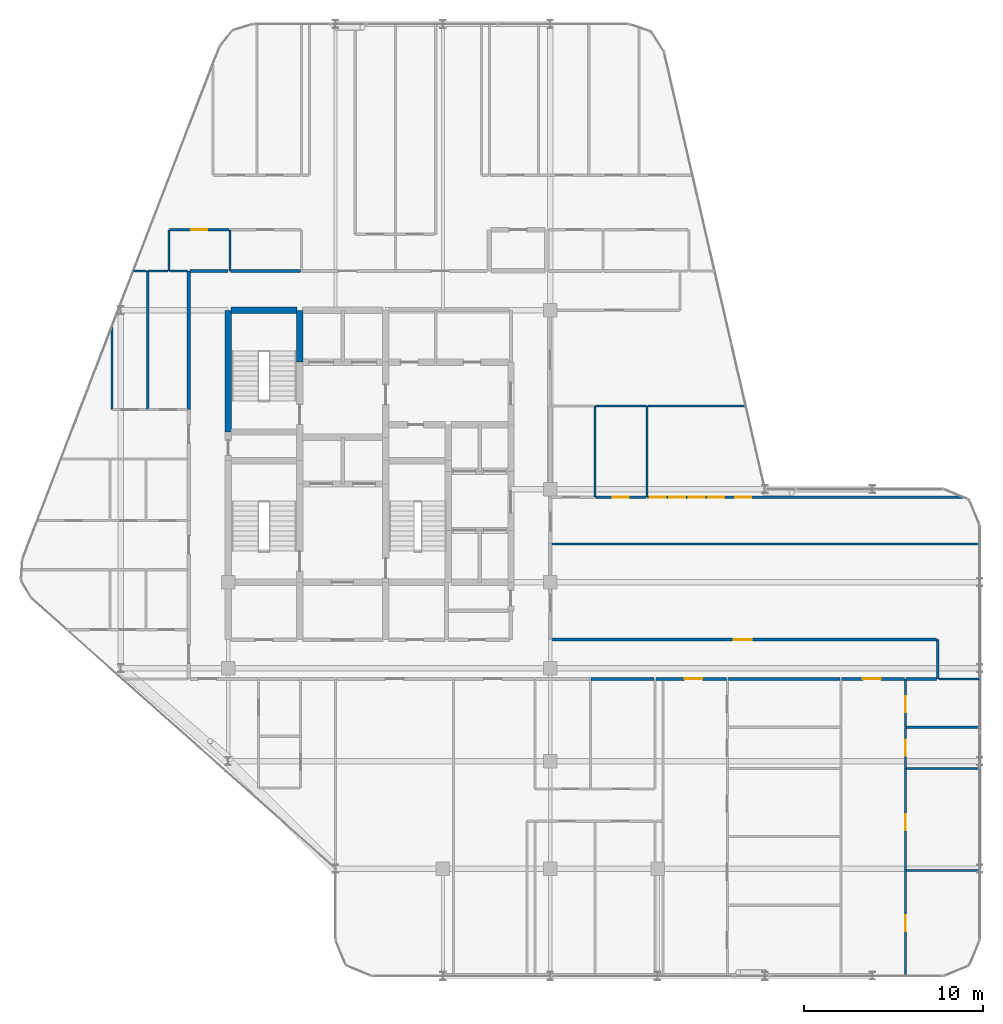
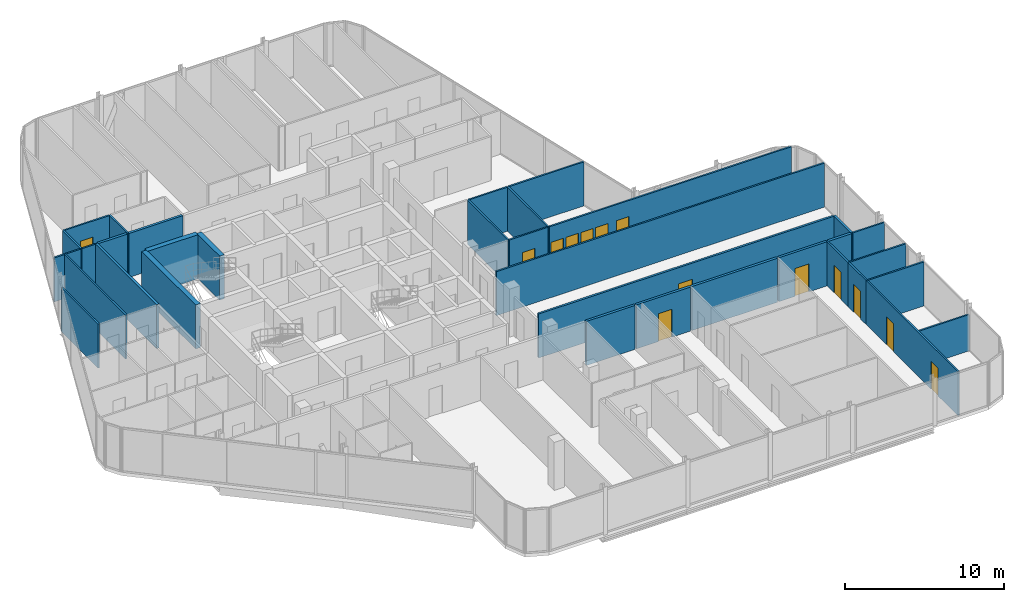
# One storey, part 26 of 29: 35 walls, 14 doors, 14 openings.
"""IFC4 building model written with IfcOpenShell, lengths in metres."""

from ifc_helpers import new_model, si_unit, direction, frame, frame_2d, origin, place, context, subcontext, project, spatial, rectangle, extrude, material, layer, layer_set, type_object, element, fill, save


model = new_model("IFC4")

# Units and contexts
model_context = context("Model", 3, precision=1e-05, world=origin(), true_north=direction((0.0, 1.0)))
body_context = subcontext(model_context, "Body", "Model", "MODEL_VIEW")
ifc_project = project(units=[si_unit("LENGTHUNIT", "METRE"), si_unit("AREAUNIT", "SQUARE_METRE"), si_unit("VOLUMEUNIT", "CUBIC_METRE"), si_unit("PLANEANGLEUNIT", "RADIAN"), si_unit("MASSUNIT", "GRAM", prefix="KILO")], contexts=[model_context])

# Site, building, storey
site_placement = place(None, origin())
site = spatial("IfcSite", under=ifc_project, at=site_placement, CompositionType="ELEMENT")
building_placement = place(site_placement, origin())
building = spatial("IfcBuilding", under=site, at=building_placement, Name="Keshet Zoharim Tower", CompositionType="ELEMENT")
storey_placement = place(building_placement, frame((0.0, 0.0, 206.89990234375)))
storey = spatial("IfcBuildingStorey", under=building, at=storey_placement, Name="L51", CompositionType="ELEMENT", Elevation=206.89990234375)

# Wall
ifc_material_1 = material(Name="Gypsum Plasterboard", Category="gypsum")
ifc_layer_1 = layer(ifc_material_1, 0.14990234375)
ifc_layer_set_1 = layer_set([ifc_layer_1], Name="Gypsum Plasterboard")
wall_type_1 = type_object("IfcWallType", Name="WL-CLIN-150", PredefinedType="STANDARD", material=ifc_layer_set_1)
wall_1_placement = place(storey_placement, frame((54.64990234375, 17.31005859375, 0.0), z_axis=(0.0, 0.0, 1.0), x_axis=(0.0, 1.0, 0.0)))
element("IfcWall", 1, at=wall_1_placement, inside=storey, type_object=wall_type_1, Name="L51 Interior Wall 097", PredefinedType="STANDARD", context=body_context, shape_type="SweptSolid", body=[
    extrude(rectangle(XDim=2.18994140625, YDim=0.14990234375, at=frame_2d((1.094970703125, 0.0))), origin(), (0.0, 0.0, 1.0), 3.39013671875),
])

# Wall, opening, door
wall_2_placement = place(storey_placement, frame((33.070068359375, 19.5, 0.0), z_axis=(0.0, 0.0, 1.0), x_axis=(1.0, 0.0, 0.0)))
wall_2 = element("IfcWall", 2, at=wall_2_placement, inside=storey, type_object=wall_type_1, Name="L51 Interior Wall 129", PredefinedType="STANDARD", context=body_context, shape_type="SweptSolid", body=[
    extrude(rectangle(XDim=21.510009765625, YDim=0.14990234375, at=frame_2d((10.7548828125, 0.0))), origin(), (0.0, 0.0, 1.0), 3.39013671875),
])
opening_1_placement = place(wall_2_placement, frame((10.18505859375, 0.0, 0.0)))
opening_1 = element("IfcOpeningElement", 3, at=opening_1_placement, cuts=wall_2, Name="Opening D-F310", PredefinedType="OPENING", context=body_context, shape_type="SweptSolid", body=[
    extrude(rectangle(XDim=1.0, YDim=2.14990234375, at=frame_2d((0.5, 1.074951171875))), frame((0.0, 0.0849609375, 0.0), z_axis=(0.0, -1.0, 0.0), x_axis=(1.0, 0.0, 0.0)), (0.0, 0.0, 1.0), 0.169921875),
])
ifc_material_2 = material(Name="Hardwood Timber", Category="wood")
door_type_1 = type_object("IfcDoorType", Name="DR-FD30-100", OperationType="NOTDEFINED", PredefinedType="DOOR", material=ifc_material_2)
door_1_placement = place(opening_1_placement, origin())
door_1 = element("IfcDoor", 4, at=door_1_placement, inside=storey, type_object=door_type_1, Name="L51 South East Residents Services Suite Door 1", OperationType="SINGLE_SWING_LEFT", OverallHeight=2.14990234375, OverallWidth=1.0, PredefinedType="DOOR", context=body_context, shape_type="SweptSolid", body=[
    extrude(rectangle(XDim=1.0, YDim=2.14990234375, at=frame_2d((0.5, 1.074951171875))), frame((0.0, 0.02490234375, 0.0), z_axis=(0.0, -1.0, 0.0), x_axis=(1.0, 0.0, 0.0)), (0.0, 0.0, 1.0), 0.050048828125),
])
fill(opening_1, door_1)

# Walls
ifc_material_3 = material(Name="Concrete C60/75", Category="concrete")
ifc_layer_2 = layer(ifc_material_3, 0.35009765625)
ifc_layer_set_2 = layer_set([ifc_layer_2], Name="Concrete C60/75")
wall_type_2 = type_object("IfcWallType", Name="WL-CORE-350", PredefinedType="SHEAR", material=ifc_layer_set_2)
wall_3_placement = place(storey_placement, frame((15.0, 31.10009765625, 0.0), z_axis=(0.0, 0.0, 1.0), x_axis=(0.0, 1.0, 0.0)))
element("IfcWall", 5, at=wall_3_placement, inside=storey, type_object=wall_type_2, Name="L51 Core Shear Wall 018", PredefinedType="SHEAR", context=body_context, shape_type="SweptSolid", body=[
    extrude(rectangle(XDim=6.7998046875, YDim=0.35009765625, at=frame_2d((3.39990234375, 0.0))), origin(), (0.0, 0.0, 1.0), 3.39013671875),
])
wall_4_placement = place(storey_placement, frame((19.0, 35.0, 0.0), z_axis=(0.0, 0.0, 1.0), x_axis=(0.0, 1.0, 0.0)))
element("IfcWall", 6, at=wall_4_placement, inside=storey, type_object=wall_type_2, Name="L51 Core Shear Wall 027", PredefinedType="SHEAR", context=body_context, shape_type="SweptSolid", body=[
    extrude(rectangle(XDim=2.89990234375, YDim=0.35009765625, at=frame_2d((1.449951171875, 0.0))), origin(), (0.0, 0.0, 1.0), 3.39013671875),
])
wall_5_placement = place(storey_placement, frame((15.159912109375, 37.89990234375, 0.0), z_axis=(0.0, 0.0, 1.0), x_axis=(1.0, 0.0, 0.0)))
element("IfcWall", 7, at=wall_5_placement, inside=storey, type_object=wall_type_2, Name="L51 Core Shear Wall 168", PredefinedType="SHEAR", context=body_context, shape_type="SweptSolid", body=[
    extrude(rectangle(XDim=3.68017578125, YDim=0.35009765625, at=frame_2d((1.840087890625, 0.0))), origin(), (0.0, 0.0, 1.0), 3.39013671875),
])
ifc_layer_3 = layer(ifc_material_1, 0.179931640625)
ifc_layer_set_3 = layer_set([ifc_layer_3], Name="Gypsum Plasterboard")
wall_type_3 = type_object("IfcWallType", Name="WL-CORR-180", PredefinedType="STANDARD", material=ifc_layer_set_3)
wall_6_placement = place(storey_placement, frame((12.800048828125, 32.360107421875, 0.0), z_axis=(0.0, 0.0, 1.0), x_axis=(0.0, 1.0, 0.0)))
element("IfcWall", 8, at=wall_6_placement, inside=storey, type_object=wall_type_3, Name="L51 Interior Wall 013", PredefinedType="STANDARD", context=body_context, shape_type="SweptSolid", body=[
    extrude(rectangle(XDim=7.739990234375, YDim=0.179931640625, at=frame_2d((3.8701171875, 0.0))), origin(), (0.0, 0.0, 1.0), 3.39013671875),
])
wall_7_placement = place(storey_placement, frame((35.27197265625, 17.300048828125, 0.0), z_axis=(0.0, 0.0, 1.0), x_axis=(1.0, 0.0, 0.0)))
element("IfcWall", 9, at=wall_7_placement, inside=storey, type_object=wall_type_3, Name="L51 Interior Wall 119", PredefinedType="STANDARD", context=body_context, shape_type="SweptSolid", body=[
    extrude(rectangle(XDim=3.532958984375, YDim=0.179931640625, at=frame_2d((1.7666015625, 0.0))), origin(), (0.0, 0.0, 1.0), 3.39013671875),
])

# Wall, opening, door
wall_8_placement = place(storey_placement, frame((38.89501953125, 17.300048828125, 0.0), z_axis=(0.0, 0.0, 1.0), x_axis=(1.0, 0.0, 0.0)))
wall_8 = element("IfcWall", 10, at=wall_8_placement, inside=storey, type_object=wall_type_3, Name="L51 Interior Wall 120", PredefinedType="STANDARD", context=body_context, shape_type="SweptSolid", body=[
    extrude(rectangle(XDim=3.9599609375, YDim=0.179931640625, at=frame_2d((1.97998046875, 0.0))), origin(), (0.0, 0.0, 1.0), 3.39013671875),
])
opening_2_placement = place(wall_8_placement, frame((1.60888671875, 0.0, 0.0)))
opening_2 = element("IfcOpeningElement", 11, at=opening_2_placement, cuts=wall_8, Name="Opening D-F310", PredefinedType="OPENING", context=body_context, shape_type="SweptSolid", body=[
    extrude(rectangle(XDim=1.0, YDim=2.14990234375, at=frame_2d((0.5, 1.074951171875))), frame((0.0, 0.10009765625, 0.0), z_axis=(0.0, -1.0, 0.0), x_axis=(1.0, 0.0, 0.0)), (0.0, 0.0, 1.0), 0.199951171875),
])
door_2_placement = place(opening_2_placement, origin())
door_2 = element("IfcDoor", 12, at=door_2_placement, inside=storey, type_object=door_type_1, Name="Apartment 5103 Entrance Door", OperationType="SINGLE_SWING_LEFT", OverallHeight=2.14990234375, OverallWidth=1.0, PredefinedType="DOOR", context=body_context, shape_type="SweptSolid", body=[
    extrude(rectangle(XDim=1.0, YDim=2.14990234375, at=frame_2d((0.5, 1.074951171875))), frame((0.0, 0.02490234375, 0.0), z_axis=(0.0, -1.0, 0.0), x_axis=(1.0, 0.0, 0.0)), (0.0, 0.0, 1.0), 0.050048828125),
])
fill(opening_2, door_2)

# Wall
wall_9_placement = place(storey_placement, frame((42.945068359375, 17.300048828125, 0.0), z_axis=(0.0, 0.0, 1.0), x_axis=(1.0, 0.0, 0.0)))
element("IfcWall", 13, at=wall_9_placement, inside=storey, type_object=wall_type_3, Name="L51 Interior Wall 121", PredefinedType="STANDARD", context=body_context, shape_type="SweptSolid", body=[
    extrude(rectangle(XDim=6.25, YDim=0.179931640625, at=frame_2d((3.125, 0.0))), origin(), (0.0, 0.0, 1.0), 3.39013671875),
])

# Wall, opening, door
wall_10_placement = place(storey_placement, frame((49.284912109375, 17.300048828125, 0.0), z_axis=(0.0, 0.0, 1.0), x_axis=(1.0, 0.0, 0.0)))
wall_10 = element("IfcWall", 14, at=wall_10_placement, inside=storey, type_object=wall_type_3, Name="L51 Interior Wall 122", PredefinedType="STANDARD", context=body_context, shape_type="SweptSolid", body=[
    extrude(rectangle(XDim=3.510009765625, YDim=0.179931640625, at=frame_2d((1.7548828125, 0.0))), origin(), (0.0, 0.0, 1.0), 3.39013671875),
])
opening_3_placement = place(wall_10_placement, frame((1.18505859375, 0.0, 0.0)))
opening_3 = element("IfcOpeningElement", 15, at=opening_3_placement, cuts=wall_10, Name="Opening D-F310", PredefinedType="OPENING", context=body_context, shape_type="SweptSolid", body=[
    extrude(rectangle(XDim=1.0, YDim=2.14990234375, at=frame_2d((0.5, 1.074951171875))), frame((0.0, 0.10009765625, 0.0), z_axis=(0.0, -1.0, 0.0), x_axis=(1.0, 0.0, 0.0)), (0.0, 0.0, 1.0), 0.199951171875),
])
door_3_placement = place(opening_3_placement, origin())
door_3 = element("IfcDoor", 16, at=door_3_placement, inside=storey, type_object=door_type_1, Name="Apartment 5104 Entrance Door", OperationType="SINGLE_SWING_RIGHT", OverallHeight=2.14990234375, OverallWidth=1.0, PredefinedType="DOOR", context=body_context, shape_type="SweptSolid", body=[
    extrude(rectangle(XDim=1.0, YDim=2.14990234375, at=frame_2d((0.5, 1.074951171875))), frame((0.0, 0.02490234375, 0.0), z_axis=(0.0, -1.0, 0.0), x_axis=(1.0, 0.0, 0.0)), (0.0, 0.0, 1.0), 0.050048828125),
])
fill(opening_3, door_3)

# Walls
wall_11_placement = place(storey_placement, frame((52.885009765625, 17.300048828125, 0.0), z_axis=(0.0, 0.0, 1.0), x_axis=(1.0, 0.0, 0.0)))
element("IfcWall", 17, at=wall_11_placement, inside=storey, type_object=wall_type_3, Name="L51 Interior Wall 123", PredefinedType="STANDARD", context=body_context, shape_type="SweptSolid", body=[
    extrude(rectangle(XDim=1.695068359375, YDim=0.179931640625, at=frame_2d((0.84765625, 0.0))), origin(), (0.0, 0.0, 1.0), 3.39013671875),
])
wall_12_placement = place(storey_placement, frame((12.875, 40.10009765625, 0.0), z_axis=(0.0, 0.0, 1.0), x_axis=(1.0, 0.0, 0.0)))
element("IfcWall", 18, at=wall_12_placement, inside=storey, type_object=wall_type_3, Name="L51 Interior Wall 176", PredefinedType="STANDARD", context=body_context, shape_type="SweptSolid", body=[
    extrude(rectangle(XDim=2.125, YDim=0.179931640625, at=frame_2d((1.0625, 0.0))), origin(), (0.0, 0.0, 1.0), 3.39013671875),
])
wall_13_placement = place(storey_placement, frame((15.1279296875, 40.10009765625, 0.0), z_axis=(0.0, 0.0, 1.0), x_axis=(1.0, 0.0, 0.0)))
element("IfcWall", 19, at=wall_13_placement, inside=storey, type_object=wall_type_3, Name="L51 Interior Wall 177", PredefinedType="STANDARD", context=body_context, shape_type="SweptSolid", body=[
    extrude(rectangle(XDim=3.906982421875, YDim=0.179931640625, at=frame_2d((1.95361328125, 0.0))), origin(), (0.0, 0.0, 1.0), 3.39013671875),
])
ifc_layer_4 = layer(ifc_material_1, 0.1201171875)
ifc_layer_set_4 = layer_set([ifc_layer_4], Name="Gypsum Plasterboard")
wall_type_4 = type_object("IfcWallType", Name="WL-PART-120", PredefinedType="PARTITIONING", material=ifc_layer_set_4)
wall_14_placement = place(storey_placement, frame((8.5, 32.360107421875, 0.0), z_axis=(0.0, 0.0, 1.0), x_axis=(0.0, 1.0, 0.0)))
element("IfcWall", 20, at=wall_14_placement, inside=storey, type_object=wall_type_4, Name="L51 Interior Wall 003", PredefinedType="PARTITIONING", context=body_context, shape_type="SweptSolid", body=[
    extrude(rectangle(XDim=4.6298828125, YDim=0.1201171875, at=frame_2d((2.31494140625, 0.0))), origin(), (0.0, 0.0, 1.0), 3.39013671875),
])
wall_15_placement = place(storey_placement, frame((11.699951171875, 40.10009765625, 0.0), z_axis=(0.0, 0.0, 1.0), x_axis=(0.0, 1.0, 0.0)))
element("IfcWall", 21, at=wall_15_placement, inside=storey, type_object=wall_type_4, Name="L51 Interior Wall 007", PredefinedType="PARTITIONING", context=body_context, shape_type="SweptSolid", body=[
    extrude(rectangle(XDim=2.2998046875, YDim=0.1201171875, at=frame_2d((1.14990234375, 0.0))), origin(), (0.0, 0.0, 1.0), 3.39013671875),
])

# Wall, openings, doors
wall_16_placement = place(storey_placement, frame((52.85009765625, 0.7099609375, 0.0), z_axis=(0.0, 0.0, 1.0), x_axis=(0.0, 1.0, 0.0)))
wall_16 = element("IfcWall", 22, at=wall_16_placement, inside=storey, type_object=wall_type_4, Name="L51 Interior Wall 094", PredefinedType="PARTITIONING", context=body_context, shape_type="SweptSolid", body=[
    extrude(rectangle(XDim=11.590087890625, YDim=0.1201171875, at=frame_2d((5.794921875, 0.0))), origin(), (0.0, 0.0, 1.0), 3.39013671875),
])
opening_4_placement = place(wall_16_placement, frame((2.489990234375, 0.0, 0.0)))
opening_4 = element("IfcOpeningElement", 23, at=opening_4_placement, cuts=wall_16, Name="Opening D-IN90", PredefinedType="OPENING", context=body_context, shape_type="SweptSolid", body=[
    extrude(rectangle(XDim=0.89990234375, YDim=2.14990234375, at=frame_2d((0.449951171875, 1.074951171875))), frame((0.0, 0.070068359375, 0.0), z_axis=(0.0, -1.0, 0.0), x_axis=(1.0, 0.0, 0.0)), (0.0, 0.0, 1.0), 0.14013671875),
])
opening_5_placement = place(wall_16_placement, frame((8.133056640625, 0.0, 0.0)))
opening_5 = element("IfcOpeningElement", 24, at=opening_5_placement, cuts=wall_16, Name="Opening D-IN90", PredefinedType="OPENING", context=body_context, shape_type="SweptSolid", body=[
    extrude(rectangle(XDim=0.89990234375, YDim=2.14990234375, at=frame_2d((0.449951171875, 1.074951171875))), frame((0.0, 0.070068359375, 0.0), z_axis=(0.0, -1.0, 0.0), x_axis=(1.0, 0.0, 0.0)), (0.0, 0.0, 1.0), 0.14013671875),
])
door_type_2 = type_object("IfcDoorType", Name="DR-INT-090", OperationType="NOTDEFINED", PredefinedType="DOOR", material=ifc_material_2)
door_4_placement = place(opening_4_placement, origin())
door_4 = element("IfcDoor", 25, at=door_4_placement, inside=storey, type_object=door_type_2, Name="Apartment 5104 Bedroom 1 Door", OperationType="SINGLE_SWING_RIGHT", OverallHeight=2.14990234375, OverallWidth=0.89990234375, PredefinedType="DOOR", context=body_context, shape_type="SweptSolid", body=[
    extrude(rectangle(XDim=0.89990234375, YDim=2.14990234375, at=frame_2d((0.449951171875, 1.074951171875))), frame((0.0, 0.02490234375, 0.0), z_axis=(0.0, -1.0, 0.0), x_axis=(1.0, 0.0, 0.0)), (0.0, 0.0, 1.0), 0.050048828125),
])
fill(opening_4, door_4)
door_5_placement = place(opening_5_placement, origin())
door_5 = element("IfcDoor", 26, at=door_5_placement, inside=storey, type_object=door_type_2, Name="Apartment 5104 Bedroom 2 Door", OperationType="SINGLE_SWING_LEFT", OverallHeight=2.14990234375, OverallWidth=0.89990234375, PredefinedType="DOOR", context=body_context, shape_type="SweptSolid", body=[
    extrude(rectangle(XDim=0.89990234375, YDim=2.14990234375, at=frame_2d((0.449951171875, 1.074951171875))), frame((0.0, 0.02490234375, 0.0), z_axis=(0.0, -1.0, 0.0), x_axis=(1.0, 0.0, 0.0)), (0.0, 0.0, 1.0), 0.050048828125),
])
fill(opening_5, door_5)

# Wall, opening, door
wall_17_placement = place(storey_placement, frame((52.85009765625, 12.300048828125, 0.0), z_axis=(0.0, 0.0, 1.0), x_axis=(0.0, 1.0, 0.0)))
wall_17 = element("IfcWall", 27, at=wall_17_placement, inside=storey, type_object=wall_type_4, Name="L51 Interior Wall 095", PredefinedType="PARTITIONING", context=body_context, shape_type="SweptSolid", body=[
    extrude(rectangle(XDim=2.300048828125, YDim=0.1201171875, at=frame_2d((1.14990234375, 0.0))), origin(), (0.0, 0.0, 1.0), 3.39013671875),
])
opening_6_placement = place(wall_17_placement, frame((0.699951171875, 0.0, 0.0)))
opening_6 = element("IfcOpeningElement", 28, at=opening_6_placement, cuts=wall_17, Name="Opening D-IN90", PredefinedType="OPENING", context=body_context, shape_type="SweptSolid", body=[
    extrude(rectangle(XDim=0.89990234375, YDim=2.14990234375, at=frame_2d((0.449951171875, 1.074951171875))), frame((0.0, 0.070068359375, 0.0), z_axis=(0.0, -1.0, 0.0), x_axis=(1.0, 0.0, 0.0)), (0.0, 0.0, 1.0), 0.14013671875),
])
door_6_placement = place(opening_6_placement, origin())
door_6 = element("IfcDoor", 29, at=door_6_placement, inside=storey, type_object=door_type_2, Name="Apartment 5104 Kitchen Door", OperationType="SINGLE_SWING_RIGHT", OverallHeight=2.14990234375, OverallWidth=0.89990234375, PredefinedType="DOOR", context=body_context, shape_type="SweptSolid", body=[
    extrude(rectangle(XDim=0.89990234375, YDim=2.14990234375, at=frame_2d((0.449951171875, 1.074951171875))), frame((0.0, 0.02490234375, 0.0), z_axis=(0.0, -1.0, 0.0), x_axis=(1.0, 0.0, 0.0)), (0.0, 0.0, 1.0), 0.050048828125),
])
fill(opening_6, door_6)

# Walls
wall_18_placement = place(storey_placement, frame((52.885009765625, 6.60009765625, 0.0), z_axis=(0.0, 0.0, 1.0), x_axis=(1.0, 0.0, 0.0)))
element("IfcWall", 30, at=wall_18_placement, inside=storey, type_object=wall_type_4, Name="L51 Interior Wall 099", PredefinedType="PARTITIONING", context=body_context, shape_type="SweptSolid", body=[
    extrude(rectangle(XDim=4.10498046875, YDim=0.1201171875, at=frame_2d((2.052490234375, 0.0))), origin(), (0.0, 0.0, 1.0), 2.7900390625),
])
wall_19_placement = place(storey_placement, frame((52.885009765625, 12.300048828125, 0.0), z_axis=(0.0, 0.0, 1.0), x_axis=(1.0, 0.0, 0.0)))
element("IfcWall", 31, at=wall_19_placement, inside=storey, type_object=wall_type_4, Name="L51 Interior Wall 108", PredefinedType="PARTITIONING", context=body_context, shape_type="SweptSolid", body=[
    extrude(rectangle(XDim=4.10498046875, YDim=0.1201171875, at=frame_2d((2.052490234375, 0.0))), origin(), (0.0, 0.0, 1.0), 3.39013671875),
])
wall_20_placement = place(storey_placement, frame((33.0849609375, 24.85009765625, 0.0), z_axis=(0.0, 0.0, 1.0), x_axis=(1.0, 0.0, 0.0)))
element("IfcWall", 32, at=wall_20_placement, inside=storey, type_object=wall_type_4, Name="L51 Interior Wall 141", PredefinedType="PARTITIONING", context=body_context, shape_type="SweptSolid", body=[
    extrude(rectangle(XDim=23.905029296875, YDim=0.1201171875, at=frame_2d((11.95263671875, 0.0))), origin(), (0.0, 0.0, 1.0), 3.39013671875),
])

# Wall, openings, doors
wall_21_placement = place(storey_placement, frame((38.445068359375, 27.449951171875, 0.0), z_axis=(0.0, 0.0, 1.0), x_axis=(1.0, 0.0, 0.0)))
wall_21 = element("IfcWall", 33, at=wall_21_placement, inside=storey, type_object=wall_type_4, Name="L51 Interior Wall 148", PredefinedType="PARTITIONING", context=body_context, shape_type="SweptSolid", body=[
    extrude(rectangle(XDim=17.630859375, YDim=0.1201171875, at=frame_2d((8.8154296875, 0.0))), origin(), (0.0, 0.0, 1.0), 3.39013671875),
])
opening_7_placement = place(wall_21_placement, frame((4.8798828125, 0.0, 0.0)))
opening_7 = element("IfcOpeningElement", 34, at=opening_7_placement, cuts=wall_21, Name="Opening D-IN90", PredefinedType="OPENING", context=body_context, shape_type="SweptSolid", body=[
    extrude(rectangle(XDim=0.89990234375, YDim=2.14990234375, at=frame_2d((0.449951171875, 1.074951171875))), frame((0.0, 0.070068359375, 0.0), z_axis=(0.0, -1.0, 0.0), x_axis=(1.0, 0.0, 0.0)), (0.0, 0.0, 1.0), 0.14013671875),
])
opening_8_placement = place(wall_21_placement, frame((0.1201171875, 0.0, 0.0)))
opening_8 = element("IfcOpeningElement", 35, at=opening_8_placement, cuts=wall_21, Name="Opening D-IN90", PredefinedType="OPENING", context=body_context, shape_type="SweptSolid", body=[
    extrude(rectangle(XDim=0.89990234375, YDim=2.14990234375, at=frame_2d((0.449951171875, 1.074951171875))), frame((0.0, 0.070068359375, 0.0), z_axis=(0.0, -1.0, 0.0), x_axis=(1.0, 0.0, 0.0)), (0.0, 0.0, 1.0), 0.14013671875),
])
opening_9_placement = place(wall_21_placement, frame((1.202880859375, 0.0, 0.0)))
opening_9 = element("IfcOpeningElement", 36, at=opening_9_placement, cuts=wall_21, Name="Opening D-IN90", PredefinedType="OPENING", context=body_context, shape_type="SweptSolid", body=[
    extrude(rectangle(XDim=0.89990234375, YDim=2.14990234375, at=frame_2d((0.449951171875, 1.074951171875))), frame((0.0, 0.070068359375, 0.0), z_axis=(0.0, -1.0, 0.0), x_axis=(1.0, 0.0, 0.0)), (0.0, 0.0, 1.0), 0.14013671875),
])
opening_10_placement = place(wall_21_placement, frame((2.287109375, 0.0, 0.0)))
opening_10 = element("IfcOpeningElement", 37, at=opening_10_placement, cuts=wall_21, Name="Opening D-IN90", PredefinedType="OPENING", context=body_context, shape_type="SweptSolid", body=[
    extrude(rectangle(XDim=0.89990234375, YDim=2.14990234375, at=frame_2d((0.449951171875, 1.074951171875))), frame((0.0, 0.070068359375, 0.0), z_axis=(0.0, -1.0, 0.0), x_axis=(1.0, 0.0, 0.0)), (0.0, 0.0, 1.0), 0.14013671875),
])
opening_11_placement = place(wall_21_placement, frame((3.3701171875, 0.0, 0.0)))
opening_11 = element("IfcOpeningElement", 38, at=opening_11_placement, cuts=wall_21, Name="Opening D-IN90", PredefinedType="OPENING", context=body_context, shape_type="SweptSolid", body=[
    extrude(rectangle(XDim=0.89990234375, YDim=2.14990234375, at=frame_2d((0.449951171875, 1.074951171875))), frame((0.0, 0.070068359375, 0.0), z_axis=(0.0, -1.0, 0.0), x_axis=(1.0, 0.0, 0.0)), (0.0, 0.0, 1.0), 0.14013671875),
])
door_7_placement = place(opening_7_placement, origin())
door_7 = element("IfcDoor", 39, at=door_7_placement, inside=storey, type_object=door_type_2, Name="Apartment 5110 Bedroom 1 Access Door", OperationType="SINGLE_SWING_LEFT", OverallHeight=2.14990234375, OverallWidth=0.89990234375, PredefinedType="DOOR", context=body_context, shape_type="SweptSolid", body=[
    extrude(rectangle(XDim=0.89990234375, YDim=2.14990234375, at=frame_2d((0.449951171875, 1.074951171875))), frame((0.0, 0.02490234375, 0.0), z_axis=(0.0, -1.0, 0.0), x_axis=(1.0, 0.0, 0.0)), (0.0, 0.0, 1.0), 0.050048828125),
])
fill(opening_7, door_7)
door_8_placement = place(opening_8_placement, origin())
door_8 = element("IfcDoor", 40, at=door_8_placement, inside=storey, type_object=door_type_2, Name="Apartment 5110 Bedroom 1 Access Door", OperationType="SINGLE_SWING_RIGHT", OverallHeight=2.14990234375, OverallWidth=0.89990234375, PredefinedType="DOOR", context=body_context, shape_type="SweptSolid", body=[
    extrude(rectangle(XDim=0.89990234375, YDim=2.14990234375, at=frame_2d((0.449951171875, 1.074951171875))), frame((0.0, 0.02490234375, 0.0), z_axis=(0.0, -1.0, 0.0), x_axis=(1.0, 0.0, 0.0)), (0.0, 0.0, 1.0), 0.050048828125),
])
fill(opening_8, door_8)
door_9_placement = place(opening_9_placement, origin())
door_9 = element("IfcDoor", 41, at=door_9_placement, inside=storey, type_object=door_type_2, Name="Apartment 5110 Bedroom 1 Access Door", OperationType="SINGLE_SWING_LEFT", OverallHeight=2.14990234375, OverallWidth=0.89990234375, PredefinedType="DOOR", context=body_context, shape_type="SweptSolid", body=[
    extrude(rectangle(XDim=0.89990234375, YDim=2.14990234375, at=frame_2d((0.449951171875, 1.074951171875))), frame((0.0, 0.02490234375, 0.0), z_axis=(0.0, -1.0, 0.0), x_axis=(1.0, 0.0, 0.0)), (0.0, 0.0, 1.0), 0.050048828125),
])
fill(opening_9, door_9)
door_10_placement = place(opening_10_placement, origin())
door_10 = element("IfcDoor", 42, at=door_10_placement, inside=storey, type_object=door_type_2, Name="Apartment 5110 Bedroom 1 Access Door", OperationType="SINGLE_SWING_RIGHT", OverallHeight=2.14990234375, OverallWidth=0.89990234375, PredefinedType="DOOR", context=body_context, shape_type="SweptSolid", body=[
    extrude(rectangle(XDim=0.89990234375, YDim=2.14990234375, at=frame_2d((0.449951171875, 1.074951171875))), frame((0.0, 0.02490234375, 0.0), z_axis=(0.0, -1.0, 0.0), x_axis=(1.0, 0.0, 0.0)), (0.0, 0.0, 1.0), 0.050048828125),
])
fill(opening_10, door_10)
door_11_placement = place(opening_11_placement, origin())
door_11 = element("IfcDoor", 43, at=door_11_placement, inside=storey, type_object=door_type_2, Name="Apartment 5110 Bedroom 1 Door", OperationType="SINGLE_SWING_LEFT", OverallHeight=2.14990234375, OverallWidth=0.89990234375, PredefinedType="DOOR", context=body_context, shape_type="SweptSolid", body=[
    extrude(rectangle(XDim=0.89990234375, YDim=2.14990234375, at=frame_2d((0.449951171875, 1.074951171875))), frame((0.0, 0.02490234375, 0.0), z_axis=(0.0, -1.0, 0.0), x_axis=(1.0, 0.0, 0.0)), (0.0, 0.0, 1.0), 0.050048828125),
])
fill(opening_11, door_11)

# Walls
wall_22_placement = place(storey_placement, frame((38.445068359375, 32.550048828125, 0.0), z_axis=(0.0, 0.0, 1.0), x_axis=(1.0, 0.0, 0.0)))
element("IfcWall", 44, at=wall_22_placement, inside=storey, type_object=wall_type_4, Name="L51 Interior Wall 164", PredefinedType="PARTITIONING", context=body_context, shape_type="SweptSolid", body=[
    extrude(rectangle(XDim=5.471923828125, YDim=0.1201171875, at=frame_2d((2.73583984375, 0.0))), origin(), (0.0, 0.0, 1.0), 3.39013671875),
])
wall_23_placement = place(storey_placement, frame((9.701904296875, 40.10009765625, 0.0), z_axis=(0.0, 0.0, 1.0), x_axis=(1.0, 0.0, 0.0)))
element("IfcWall", 45, at=wall_23_placement, inside=storey, type_object=wall_type_4, Name="L51 Interior Wall 173", PredefinedType="PARTITIONING", context=body_context, shape_type="SweptSolid", body=[
    extrude(rectangle(XDim=0.731201171875, YDim=0.1201171875, at=frame_2d((0.36572265625, 0.0))), origin(), (0.0, 0.0, 1.0), 3.39013671875),
])

# Wall, opening, door
wall_24_placement = place(storey_placement, frame((11.72412109375, 42.39990234375, 0.0), z_axis=(0.0, 0.0, 1.0), x_axis=(1.0, 0.0, 0.0)))
wall_24 = element("IfcWall", 46, at=wall_24_placement, inside=storey, type_object=wall_type_4, Name="L51 Interior Wall 186", PredefinedType="PARTITIONING", context=body_context, shape_type="SweptSolid", body=[
    extrude(rectangle(XDim=3.31396484375, YDim=0.1201171875, at=frame_2d((1.656982421875, 0.0))), origin(), (0.0, 0.0, 1.0), 3.39013671875),
])
opening_12_placement = place(wall_24_placement, frame((1.20703125, 0.0, 0.0)))
opening_12 = element("IfcOpeningElement", 47, at=opening_12_placement, cuts=wall_24, Name="Opening D-IN90", PredefinedType="OPENING", context=body_context, shape_type="SweptSolid", body=[
    extrude(rectangle(XDim=0.89990234375, YDim=2.14990234375, at=frame_2d((0.449951171875, 1.074951171875))), frame((0.0, 0.070068359375, 0.0), z_axis=(0.0, -1.0, 0.0), x_axis=(1.0, 0.0, 0.0)), (0.0, 0.0, 1.0), 0.14013671875),
])
door_12_placement = place(opening_12_placement, origin())
door_12 = element("IfcDoor", 48, at=door_12_placement, inside=storey, type_object=door_type_2, Name="Apartment 5105 Kitchen Door", OperationType="SINGLE_SWING_RIGHT", OverallHeight=2.14990234375, OverallWidth=0.89990234375, PredefinedType="DOOR", context=body_context, shape_type="SweptSolid", body=[
    extrude(rectangle(XDim=0.89990234375, YDim=2.14990234375, at=frame_2d((0.449951171875, 1.074951171875))), frame((0.0, 0.02490234375, 0.0), z_axis=(0.0, -1.0, 0.0), x_axis=(1.0, 0.0, 0.0)), (0.0, 0.0, 1.0), 0.050048828125),
])
fill(opening_12, door_12)

# Walls
ifc_layer_5 = layer(ifc_material_1, 0.1201171875)
ifc_layer_set_5 = layer_set([ifc_layer_5], Name="Gypsum Plasterboard")
wall_type_5 = type_object("IfcWallType", Name="WL-WET-120", PredefinedType="PARTITIONING", material=ifc_layer_set_5)
wall_25_placement = place(storey_placement, frame((10.5, 32.360107421875, 0.0), z_axis=(0.0, 0.0, 1.0), x_axis=(0.0, 1.0, 0.0)))
element("IfcWall", 49, at=wall_25_placement, inside=storey, type_object=wall_type_5, Name="L51 Interior Wall 006", PredefinedType="PARTITIONING", context=body_context, shape_type="SweptSolid", body=[
    extrude(rectangle(XDim=7.739990234375, YDim=0.1201171875, at=frame_2d((3.8701171875, 0.0))), origin(), (0.0, 0.0, 1.0), 3.39013671875),
])
wall_26_placement = place(storey_placement, frame((15.10009765625, 40.10009765625, 0.0), z_axis=(0.0, 0.0, 1.0), x_axis=(0.0, 1.0, 0.0)))
element("IfcWall", 50, at=wall_26_placement, inside=storey, type_object=wall_type_5, Name="L51 Interior Wall 019", PredefinedType="PARTITIONING", context=body_context, shape_type="SweptSolid", body=[
    extrude(rectangle(XDim=2.2998046875, YDim=0.1201171875, at=frame_2d((1.14990234375, 0.0))), origin(), (0.0, 0.0, 1.0), 3.39013671875),
])
for number, where, z_axis, x_axis, name in (
    (51, (35.5, 27.469970703125, 0.0), (0.0, 0.0, 1.0), (0.0, 1.0, 0.0), "L51 Interior Wall 079"),
    (52, (38.39990234375, 27.469970703125, 0.0), (0.0, 0.0, 1.0), (0.0, 1.0, 0.0), "L51 Interior Wall 082"),
):
    element("IfcWall", number, at=place(storey_placement, frame(where, z_axis=z_axis, x_axis=x_axis)), inside=storey, type_object=wall_type_5, Name=name, PredefinedType="PARTITIONING", context=body_context, shape_type="SweptSolid", body=[
        extrude(rectangle(XDim=5.070068359375, YDim=0.1201171875, at=frame_2d((2.53515625, 0.0))), origin(), (0.0, 0.0, 1.0), 3.39013671875),
    ])

# Wall, opening, door
wall_27_placement = place(storey_placement, frame((52.85009765625, 14.60009765625, 0.0), z_axis=(0.0, 0.0, 1.0), x_axis=(0.0, 1.0, 0.0)))
wall_27 = element("IfcWall", 53, at=wall_27_placement, inside=storey, type_object=wall_type_5, Name="L51 Interior Wall 096", PredefinedType="PARTITIONING", context=body_context, shape_type="SweptSolid", body=[
    extrude(rectangle(XDim=2.699951171875, YDim=0.1201171875, at=frame_2d((1.35009765625, 0.0))), origin(), (0.0, 0.0, 1.0), 3.39013671875),
])
opening_13_placement = place(wall_27_placement, frame((0.827880859375, 0.0, 0.0)))
opening_13 = element("IfcOpeningElement", 54, at=opening_13_placement, cuts=wall_27, Name="Opening D-WT90", PredefinedType="OPENING", context=body_context, shape_type="SweptSolid", body=[
    extrude(rectangle(XDim=0.89990234375, YDim=2.10009765625, at=frame_2d((0.449951171875, 1.050048828125))), frame((0.0, 0.070068359375, 0.0), z_axis=(0.0, -1.0, 0.0), x_axis=(1.0, 0.0, 0.0)), (0.0, 0.0, 1.0), 0.14013671875),
])
door_type_3 = type_object("IfcDoorType", Name="DR-WET-090", OperationType="NOTDEFINED", PredefinedType="DOOR", material=ifc_material_2)
door_13_placement = place(opening_13_placement, origin())
door_13 = element("IfcDoor", 55, at=door_13_placement, inside=storey, type_object=door_type_3, Name="Apartment 5104 Bathroom Door", OperationType="SINGLE_SWING_LEFT", OverallHeight=2.10009765625, OverallWidth=0.89990234375, PredefinedType="DOOR", context=body_context, shape_type="SweptSolid", body=[
    extrude(rectangle(XDim=0.89990234375, YDim=2.10009765625, at=frame_2d((0.449951171875, 1.050048828125))), frame((0.0, 0.02490234375, 0.0), z_axis=(0.0, -1.0, 0.0), x_axis=(1.0, 0.0, 0.0)), (0.0, 0.0, 1.0), 0.050048828125),
])
fill(opening_13, door_13)

# Walls
wall_28_placement = place(storey_placement, frame((52.885009765625, 14.60009765625, 0.0), z_axis=(0.0, 0.0, 1.0), x_axis=(1.0, 0.0, 0.0)))
element("IfcWall", 56, at=wall_28_placement, inside=storey, type_object=wall_type_5, Name="L51 Interior Wall 111", PredefinedType="PARTITIONING", context=body_context, shape_type="SweptSolid", body=[
    extrude(rectangle(XDim=4.10498046875, YDim=0.1201171875, at=frame_2d((2.052490234375, 0.0))), origin(), (0.0, 0.0, 1.0), 3.39013671875),
])
wall_29_placement = place(storey_placement, frame((54.7099609375, 17.300048828125, 0.0), z_axis=(0.0, 0.0, 1.0), x_axis=(1.0, 0.0, 0.0)))
element("IfcWall", 57, at=wall_29_placement, inside=storey, type_object=wall_type_5, Name="L51 Interior Wall 124", PredefinedType="PARTITIONING", context=body_context, shape_type="SweptSolid", body=[
    extrude(rectangle(XDim=2.280029296875, YDim=0.1201171875, at=frame_2d((1.14013671875, 0.0))), origin(), (0.0, 0.0, 1.0), 3.39013671875),
])

# Wall, opening, door
wall_30_placement = place(storey_placement, frame((35.529052734375, 27.449951171875, 0.0), z_axis=(0.0, 0.0, 1.0), x_axis=(1.0, 0.0, 0.0)))
wall_30 = element("IfcWall", 58, at=wall_30_placement, inside=storey, type_object=wall_type_5, Name="L51 Interior Wall 147", PredefinedType="PARTITIONING", context=body_context, shape_type="SweptSolid", body=[
    extrude(rectangle(XDim=2.825927734375, YDim=0.1201171875, at=frame_2d((1.4130859375, 0.0))), origin(), (0.0, 0.0, 1.0), 3.39013671875),
])
opening_14_placement = place(wall_30_placement, frame((0.962890625, 0.0, 0.0)))
opening_14 = element("IfcOpeningElement", 59, at=opening_14_placement, cuts=wall_30, Name="Opening D-WT90", PredefinedType="OPENING", context=body_context, shape_type="SweptSolid", body=[
    extrude(rectangle(XDim=0.89990234375, YDim=2.10009765625, at=frame_2d((0.449951171875, 1.050048828125))), frame((0.0, 0.070068359375, 0.0), z_axis=(0.0, -1.0, 0.0), x_axis=(1.0, 0.0, 0.0)), (0.0, 0.0, 1.0), 0.14013671875),
])
door_14_placement = place(opening_14_placement, origin())
door_14 = element("IfcDoor", 60, at=door_14_placement, inside=storey, type_object=door_type_3, Name="Apartment 5110 Bathroom Door", OperationType="SINGLE_SWING_RIGHT", OverallHeight=2.10009765625, OverallWidth=0.89990234375, PredefinedType="DOOR", context=body_context, shape_type="SweptSolid", body=[
    extrude(rectangle(XDim=0.89990234375, YDim=2.10009765625, at=frame_2d((0.449951171875, 1.050048828125))), frame((0.0, 0.02490234375, 0.0), z_axis=(0.0, -1.0, 0.0), x_axis=(1.0, 0.0, 0.0)), (0.0, 0.0, 1.0), 0.050048828125),
])
fill(opening_14, door_14)

# Walls
wall_31_placement = place(storey_placement, frame((35.529052734375, 32.550048828125, 0.0), z_axis=(0.0, 0.0, 1.0), x_axis=(1.0, 0.0, 0.0)))
element("IfcWall", 61, at=wall_31_placement, inside=storey, type_object=wall_type_5, Name="L51 Interior Wall 163", PredefinedType="PARTITIONING", context=body_context, shape_type="SweptSolid", body=[
    extrude(rectangle(XDim=2.825927734375, YDim=0.1201171875, at=frame_2d((1.4130859375, 0.0))), origin(), (0.0, 0.0, 1.0), 3.39013671875),
])
wall_32_placement = place(storey_placement, frame((10.52294921875, 40.10009765625, 0.0), z_axis=(0.0, 0.0, 1.0), x_axis=(1.0, 0.0, 0.0)))
element("IfcWall", 62, at=wall_32_placement, inside=storey, type_object=wall_type_5, Name="L51 Interior Wall 174", PredefinedType="PARTITIONING", context=body_context, shape_type="SweptSolid", body=[
    extrude(rectangle(XDim=1.111083984375, YDim=0.1201171875, at=frame_2d((0.5556640625, 0.0))), origin(), (0.0, 0.0, 1.0), 3.39013671875),
])
wall_33_placement = place(storey_placement, frame((11.72412109375, 40.10009765625, 0.0), z_axis=(0.0, 0.0, 1.0), x_axis=(1.0, 0.0, 0.0)))
element("IfcWall", 63, at=wall_33_placement, inside=storey, type_object=wall_type_5, Name="L51 Interior Wall 175", PredefinedType="PARTITIONING", context=body_context, shape_type="SweptSolid", body=[
    extrude(rectangle(XDim=1.0009765625, YDim=0.1201171875, at=frame_2d((0.50048828125, 0.0))), origin(), (0.0, 0.0, 1.0), 3.39013671875),
])

save(model, "model.ifc")
